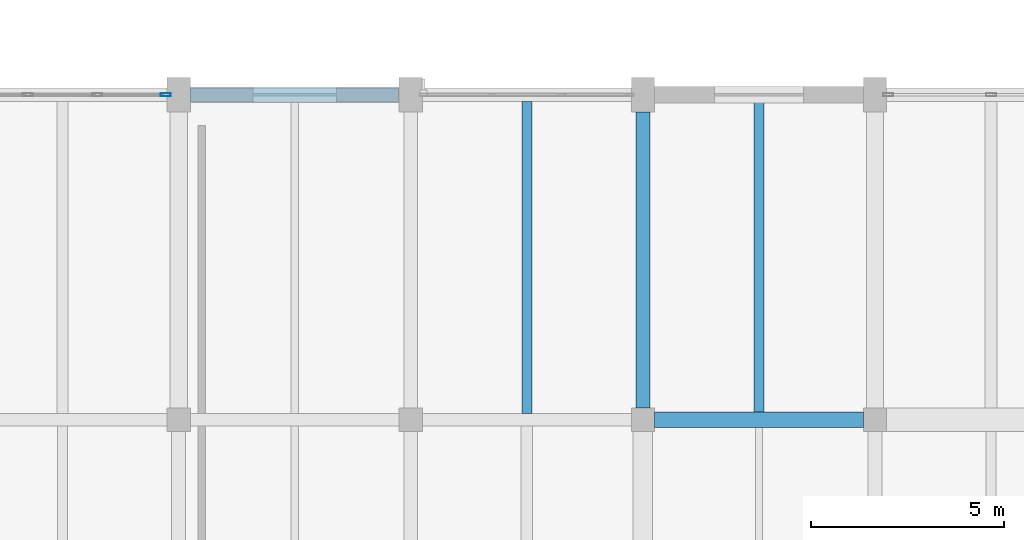
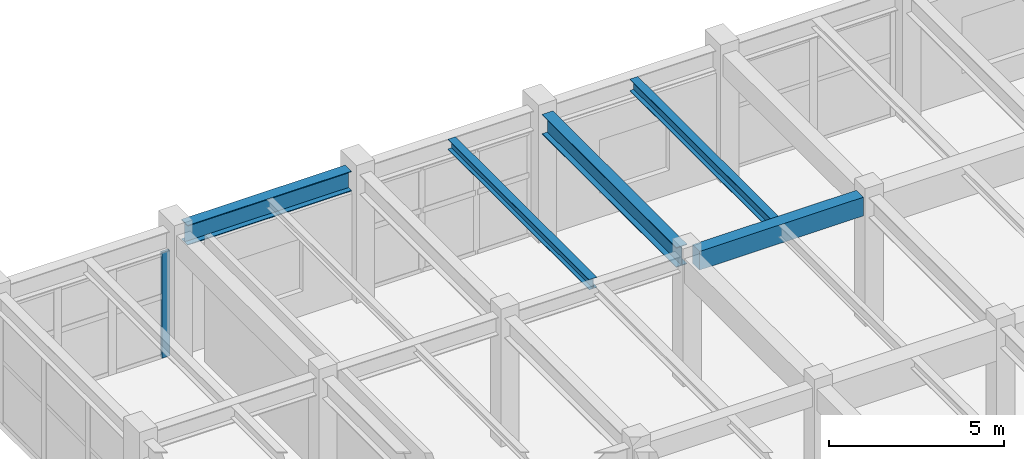
# One storey, part 37 of 85: 5 beams, 1 member, 1 element without a shape of its own.
"""IFC4 building model written with IfcOpenShell, lengths in metres."""

from ifc_helpers import new_model, si_unit, direction, frame, origin, origin_2d, place, context, subcontext, project, spatial, rectangle, hollow_rectangle, i_section, extrude, material, layer, layer_set, material_profile, profile_set, type_object, element, aggregate, save


model = new_model("IFC4")

# Units and contexts
model_context = context("Model", 3, precision=1e-05, world=origin(), true_north=direction((0.0, 1.0)))
body_context = subcontext(model_context, "Body", "Model", "MODEL_VIEW")
ifc_project = project(units=[si_unit("LENGTHUNIT", "METRE"), si_unit("AREAUNIT", "SQUARE_METRE"), si_unit("VOLUMEUNIT", "CUBIC_METRE"), si_unit("PLANEANGLEUNIT", "RADIAN"), si_unit("MASSUNIT", "GRAM", prefix="KILO")], contexts=[model_context])

# Site, building, storey
site_placement = place(None, origin())
site = spatial("IfcSite", under=ifc_project, at=site_placement, CompositionType="ELEMENT")
building_placement = place(site_placement, origin())
building = spatial("IfcBuilding", under=site, at=building_placement, Name="Vaelkrest Opera House", CompositionType="ELEMENT")
storey_placement = place(building_placement, frame((0.0, 0.0, 10.199951171875)))
storey = spatial("IfcBuildingStorey", under=building, at=storey_placement, Name="L02", CompositionType="ELEMENT", Elevation=10.199951171875)

# Beams
ifc_material_1 = material(Name="Concrete C50/60", Category="concrete")
ifc_material_profile_1 = material_profile(ifc_material_1, rectangle(XDim=0.39990234375, YDim=0.64990234375, at=origin_2d()), Name="RCB400X650")
ifc_profile_set_1 = profile_set([ifc_material_profile_1], Name="Concrete C50/60")
beam_type_1 = type_object("IfcBeamType", Name="B01", PredefinedType="BEAM", material=ifc_profile_set_1)
beam_1_placement = place(storey_placement, frame((-57.300048828125, 25.199951171875, 4.1201171875), z_axis=(1.0, 0.0, 0.0), x_axis=(0.0, 1.0, 0.0)))
element("IfcBeam", 1, at=beam_1_placement, inside=storey, type_object=beam_type_1, Name="Beam BM-V3-L02-1653", PredefinedType="BEAM", context=body_context, shape_type="SweptSolid", body=[
    extrude(rectangle(XDim=0.39990234375, YDim=0.64990234375, at=origin_2d()), origin(), (0.0, 0.0, 1.0), 5.400146484375),
])
ifc_material_2 = material(Name="Steel A992 Gr50", Category="steel")
ifc_material_profile_2 = material_profile(ifc_material_2, i_section(OverallWidth=0.35498046875, OverallDepth=0.695068359375, WebThickness=0.015380859375, FlangeThickness=0.02490234375, at=origin_2d()), Name="W27X146")
ifc_profile_set_2 = profile_set([ifc_material_profile_2], Name="Steel A992 Gr50")
beam_type_2 = type_object("IfcBeamType", Name="B10", PredefinedType="BEAM", material=ifc_profile_set_2)
beam_2_placement = place(storey_placement, frame((-57.60009765625, 25.5, 4.09765625), z_axis=(0.0, 1.0, 0.0), x_axis=(-1.0, 0.0, 0.0)))
element("IfcBeam", 2, at=beam_2_placement, inside=storey, type_object=beam_type_2, Name="Beam BM-V3-L02-1681", PredefinedType="BEAM", context=body_context, shape_type="SweptSolid", body=[
    extrude(i_section(OverallWidth=0.35498046875, OverallDepth=0.695068359375, WebThickness=0.015380859375, FlangeThickness=0.02490234375, at=origin_2d()), origin(), (0.0, 0.0, 1.0), 7.64990234375),
])

# Curtain wall, member
ifc_material_3 = material(Name="Dark bronze anodized aluminium", Category="aluminium")
ifc_layer = layer(ifc_material_3, 0.2099609375)
ifc_layer_set = layer_set([ifc_layer], Name="Dark bronze anodized aluminium")
curtain_wall_type = type_object("IfcCurtainWallType", Name="CW04", PredefinedType="NOTDEFINED", material=ifc_layer_set)
curtain_wall_placement = place(storey_placement, origin())
curtain_wall = element("IfcCurtainWall", 3, at=curtain_wall_placement, inside=storey, type_object=curtain_wall_type, Name="Curtain wall CW-L02-119", PredefinedType="NOTDEFINED")
ifc_material_profile_3 = material_profile(ifc_material_3, hollow_rectangle(XDim=0.080078125, YDim=0.260009765625, WallThickness=0.0048828125, at=origin_2d()), Name="CWM80X260")
ifc_profile_set_3 = profile_set([ifc_material_profile_3], Name="Dark bronze anodized aluminium")
member_type = type_object("IfcMemberType", Name="CWM04", PredefinedType="MULLION", material=ifc_profile_set_3)
member_placement = place(storey_placement, frame((-69.93798828125, 33.60009765625, 0.0), z_axis=(0.0, 0.0, 1.0), x_axis=(0.0, 1.0, 0.0)))
member = element("IfcMember", 4, at=member_placement, type_object=member_type, Name="CW04 mullion 4", PredefinedType="MULLION", context=body_context, shape_type="SweptSolid", body=[
    extrude(hollow_rectangle(XDim=0.080078125, YDim=0.260009765625, WallThickness=0.0048828125, at=origin_2d()), origin(), (0.0, 0.0, 1.0), 3.68505859375),
])
aggregate(curtain_wall, [member])

# Beams
ifc_material_profile_4 = material_profile(ifc_material_2, i_section(OverallWidth=0.2548828125, OverallDepth=0.35693359375, WebThickness=0.010498046875, FlangeThickness=0.018310546875, at=origin_2d()), Name="W14X68")
ifc_profile_set_4 = profile_set([ifc_material_profile_4], Name="Steel A992 Gr50")
beam_type_3 = type_object("IfcBeamType", Name="J05", PredefinedType="JOIST", material=ifc_profile_set_4)
beam_3_placement = place(storey_placement, frame((-60.60009765625, 25.357421875, 4.2666015625), z_axis=(0.0, 1.0, 0.0), x_axis=(-1.0, 0.0, 0.0)))
element("IfcBeam", 5, at=beam_3_placement, inside=storey, type_object=beam_type_3, Name="Floor joist JST-V3-L02-1715", PredefinedType="JOIST", context=body_context, shape_type="SweptSolid", body=[
    extrude(i_section(OverallWidth=0.2548828125, OverallDepth=0.35693359375, WebThickness=0.010498046875, FlangeThickness=0.018310546875, at=origin_2d()), origin(), (0.0, 0.0, 1.0), 8.065185546875),
])
ifc_material_profile_5 = material_profile(ifc_material_2, i_section(OverallWidth=0.261962890625, OverallDepth=0.4189453125, WebThickness=0.01171875, FlangeThickness=0.019287109375, at=origin_2d()), Name="W16X77")
ifc_profile_set_5 = profile_set([ifc_material_profile_5], Name="Steel A992 Gr50")
beam_type_4 = type_object("IfcBeamType", Name="J08", PredefinedType="JOIST", material=ifc_profile_set_5)
beam_4_placement = place(storey_placement, frame((-54.60009765625, 25.39990234375, 4.235595703125), z_axis=(0.0, 1.0, 0.0), x_axis=(-1.0, 0.0, 0.0)))
element("IfcBeam", 6, at=beam_4_placement, inside=storey, type_object=beam_type_4, Name="Floor joist JST-V3-L02-1718", PredefinedType="JOIST", context=body_context, shape_type="SweptSolid", body=[
    extrude(i_section(OverallWidth=0.261962890625, OverallDepth=0.4189453125, WebThickness=0.01171875, FlangeThickness=0.019287109375, at=origin_2d()), origin(), (0.0, 0.0, 1.0), 8.022705078125),
])
ifc_material_profile_6 = material_profile(ifc_material_2, i_section(OverallWidth=0.35498046875, OverallDepth=0.695068359375, WebThickness=0.015380859375, FlangeThickness=0.02490234375, at=origin_2d()), Name="W27X146")
ifc_profile_set_6 = profile_set([ifc_material_profile_6], Name="Steel A992 Gr50")
beam_type_5 = type_object("IfcBeamType", Name="SP02", PredefinedType="SPANDREL", material=ifc_profile_set_6)
beam_5_placement = place(storey_placement, frame((-69.300048828125, 33.60009765625, 4.09765625), z_axis=(1.0, 0.0, 0.0), x_axis=(0.0, 1.0, 0.0)))
element("IfcBeam", 7, at=beam_5_placement, inside=storey, type_object=beam_type_5, Name="Beam BM-V3-L02-1658", PredefinedType="SPANDREL", context=body_context, shape_type="SweptSolid", body=[
    extrude(i_section(OverallWidth=0.35498046875, OverallDepth=0.695068359375, WebThickness=0.015380859375, FlangeThickness=0.02490234375, at=origin_2d()), origin(), (0.0, 0.0, 1.0), 5.400146484375),
])

save(model, "model.ifc")
